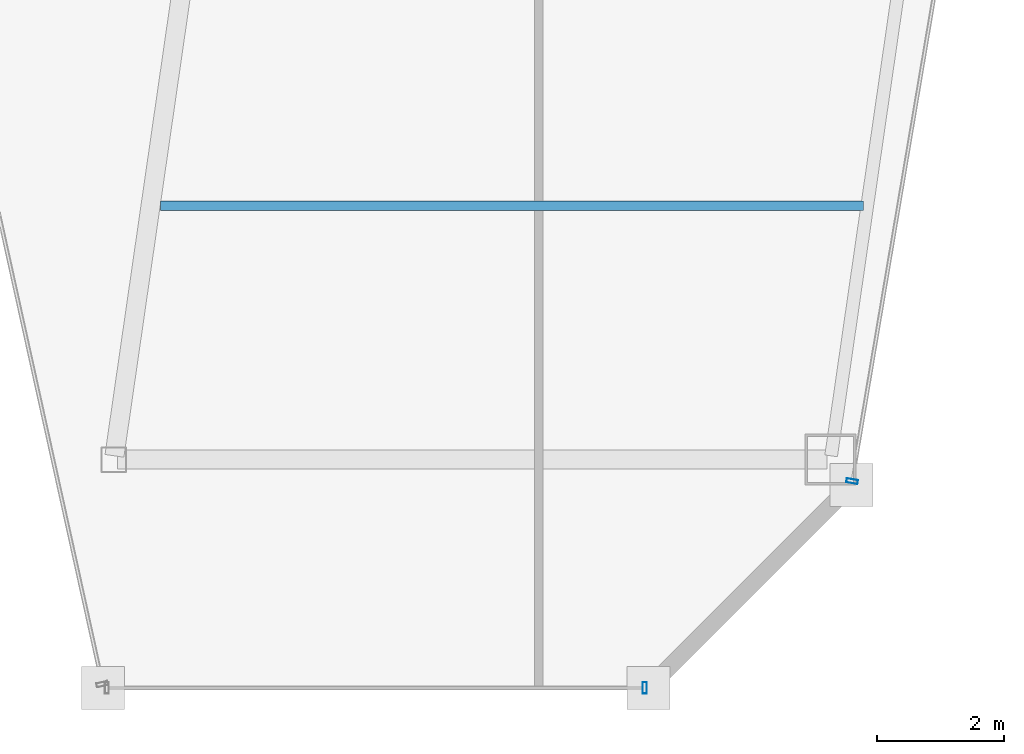
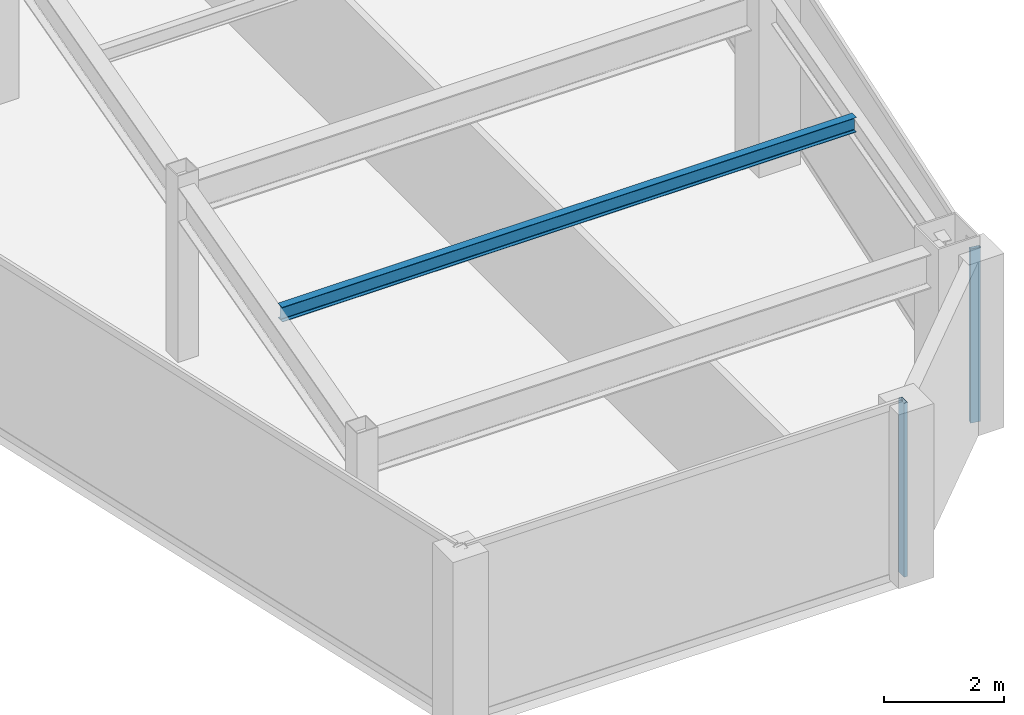
# One storey, part 18 of 35: 2 members, 1 beam, 2 elements without a shape of their own.
"""IFC4 building model written with IfcOpenShell, lengths in metres."""

from ifc_helpers import new_model, si_unit, direction, frame, origin, origin_2d, place, context, subcontext, project, spatial, hollow_rectangle, i_section, extrude, material, material_profile, profile_set, type_object, element, aggregate, save


model = new_model("IFC4")

# Units and contexts
model_context = context("Model", 3, precision=1e-05, world=origin(), true_north=direction((0.0, 1.0)))
body_context = subcontext(model_context, "Body", "Model", "MODEL_VIEW")
ifc_project = project(units=[si_unit("LENGTHUNIT", "METRE"), si_unit("AREAUNIT", "SQUARE_METRE"), si_unit("VOLUMEUNIT", "CUBIC_METRE"), si_unit("PLANEANGLEUNIT", "RADIAN"), si_unit("MASSUNIT", "GRAM", prefix="KILO")], contexts=[model_context])

# Site, building, storey
site_placement = place(None, origin())
site = spatial("IfcSite", under=ifc_project, at=site_placement, CompositionType="ELEMENT")
building_placement = place(site_placement, origin())
building = spatial("IfcBuilding", under=site, at=building_placement, Name="Saevonmaru Cultural Tower", CompositionType="ELEMENT")
storey_placement = place(building_placement, frame((0.0, 0.0, 190.39990234375)))
storey = spatial("IfcBuildingStorey", under=building, at=storey_placement, Name="L43", CompositionType="ELEMENT", Elevation=190.39990234375)

# Beam
ifc_material_1 = material(Name="Steel SM355", Category="steel")
ifc_material_profile_1 = material_profile(ifc_material_1, i_section(OverallWidth=0.14990234375, OverallDepth=0.300048828125, WebThickness=0.006591796875, FlangeThickness=0.009033203125, FilletRadius=0.012939453125, at=origin_2d()), Name="H-300x150x6.5x9")
ifc_profile_set_1 = profile_set([ifc_material_profile_1], Name="Steel SM355")
beam_type = type_object("IfcBeamType", Name="BM-J-H300", PredefinedType="JOIST", material=ifc_profile_set_1)
beam_placement = place(storey_placement, frame((38.80810546875, 20.0, 3.400146484375), z_axis=(1.0, 0.0, 0.0), x_axis=(0.0, 1.0, 0.0)))
element("IfcBeam", 1, at=beam_placement, inside=storey, type_object=beam_type, Name="L43 East Wing Floor Joist 1", PredefinedType="JOIST", context=body_context, shape_type="SweptSolid", body=[
    extrude(i_section(OverallWidth=0.14990234375, OverallDepth=0.300048828125, WebThickness=0.006591796875, FlangeThickness=0.009033203125, FilletRadius=0.012939453125, at=origin_2d()), origin(), (0.0, 0.0, 1.0), 11.081787109375),
])

# Curtain wall, member
ifc_material_2 = material(Name="Satin Bronze Anodised Aluminium", Category="aluminium")
curtain_wall_type = type_object("IfcCurtainWallType", Name="CW-TYP-B", PredefinedType="NOTDEFINED", material=ifc_material_2)
curtain_wall_1_placement = place(storey_placement, origin())
curtain_wall_1 = element("IfcCurtainWall", 2, at=curtain_wall_1_placement, inside=storey, type_object=curtain_wall_type, Name="L43 Unitised Curtain Wall E6", PredefinedType="NOTDEFINED")
ifc_material_profile_2 = material_profile(ifc_material_2, hollow_rectangle(XDim=0.06494140625, YDim=0.179931640625, WallThickness=0.00390625, at=origin_2d()), Name="ALU-MULL-180x65x4")
ifc_profile_set_2 = profile_set([ifc_material_profile_2], Name="Satin Bronze Anodised Aluminium")
member_type = type_object("IfcMemberType", Name="ML-CW-180x65", PredefinedType="MULLION", material=ifc_profile_set_2)
member_1_placement = place(storey_placement, frame((46.442138671875, 12.39990234375, 0.0), z_axis=(0.0, 0.0, 1.0), x_axis=(1.0, 0.0, 0.0)))
member_1 = element("IfcMember", 3, at=member_1_placement, type_object=member_type, Name="CW-TW-L43-E6 mullion 2", PredefinedType="MULLION", context=body_context, shape_type="SweptSolid", body=[
    extrude(hollow_rectangle(XDim=0.06494140625, YDim=0.179931640625, WallThickness=0.00390625, at=origin_2d()), origin(), (0.0, 0.0, 1.0), 3.550048828125),
])
aggregate(curtain_wall_1, [member_1])

curtain_wall_2_placement = place(storey_placement, origin())
curtain_wall_2 = element("IfcCurtainWall", 4, at=curtain_wall_2_placement, inside=storey, type_object=curtain_wall_type, Name="L43 Unitised Curtain Wall E8", PredefinedType="NOTDEFINED")
member_2_placement = place(storey_placement, frame((49.712158203125, 15.6591796875, 0.0), z_axis=(0.0, 0.0, 1.0), x_axis=(0.16692169721, 0.985970155228, 0.0)))
member_2 = element("IfcMember", 5, at=member_2_placement, type_object=member_type, Name="CW-TW-L43-E8 mullion 1", PredefinedType="MULLION", context=body_context, shape_type="SweptSolid", body=[
    extrude(hollow_rectangle(XDim=0.06494140625, YDim=0.179931640625, WallThickness=0.00390625, at=origin_2d()), origin(), (0.0, 0.0, 1.0), 3.550048828125),
])
aggregate(curtain_wall_2, [member_2])

save(model, "model.ifc")
